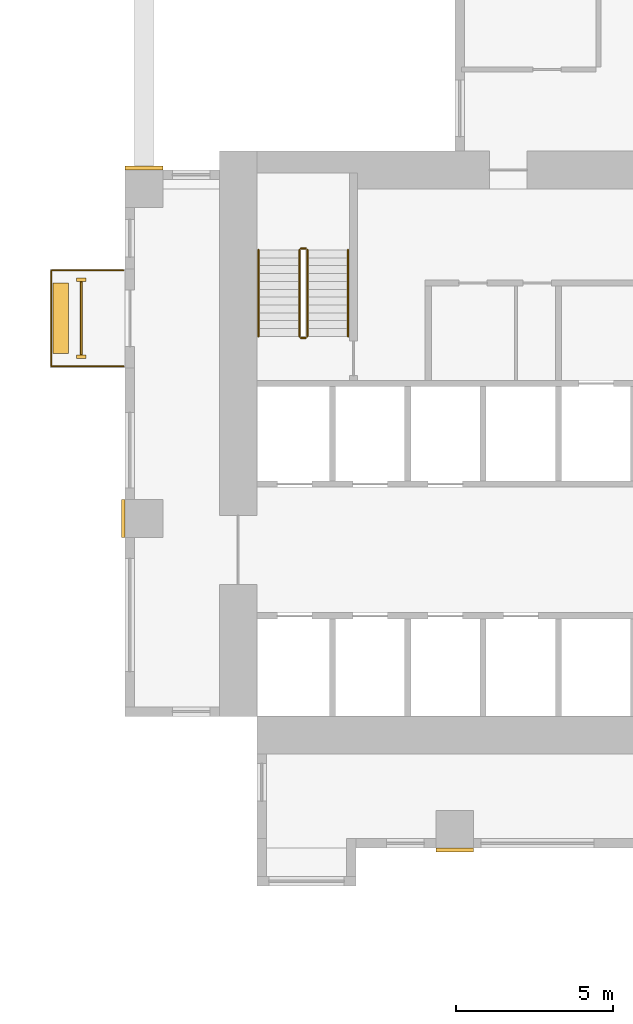
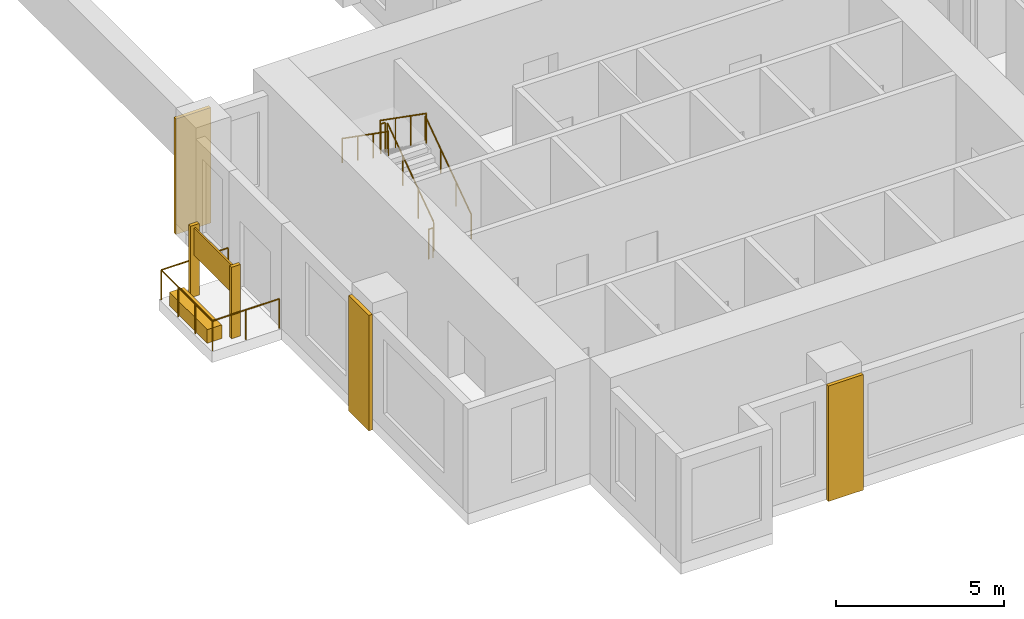
# One storey, part 11 of 14: 7 coverings, 7 railings.
"""IFC4 building model written with IfcOpenShell, lengths in metres."""

from ifc_helpers import new_model, si_unit, direction, frame, origin, origin_2d, place, context, subcontext, project, spatial, rectangle, circle, extrude, source, transform, mapped, material, type_object, element, save


model = new_model("IFC4")

# Units and contexts
model_context = context("Model", 3, precision=1e-05, world=origin(), true_north=direction((0.0, 1.0)))
body_context = subcontext(model_context, "Body", "Model", "MODEL_VIEW")
ifc_project = project(units=[si_unit("LENGTHUNIT", "METRE"), si_unit("AREAUNIT", "SQUARE_METRE"), si_unit("VOLUMEUNIT", "CUBIC_METRE"), si_unit("PLANEANGLEUNIT", "RADIAN"), si_unit("MASSUNIT", "GRAM", prefix="KILO")], contexts=[model_context])

# Site, building, storey
site_placement = place(None, origin())
site = spatial("IfcSite", under=ifc_project, at=site_placement, CompositionType="ELEMENT")
building_placement = place(site_placement, origin())
building = spatial("IfcBuilding", under=site, at=building_placement, Name="Aurelian Terraces", CompositionType="ELEMENT")
storey_placement = place(building_placement, frame((0.0, 0.0, 78.3)))
storey = spatial("IfcBuildingStorey", under=building, at=storey_placement, Name="L16", CompositionType="ELEMENT", Elevation=78.3)

# Railing
ifc_material_1 = material(Name="Anodised aluminium", Category="aluminium")
railing_type_1 = type_object("IfcRailingType", Name="GUARD-1100", PredefinedType="GUARDRAIL", material=ifc_material_1)
railing_1_placement = place(storey_placement, frame((-0.05, 18.4, 0.0)))
element("IfcRailing", 1, at=railing_1_placement, inside=storey, type_object=railing_type_1, Name="Balcony guard L16 F16.37", PredefinedType="GUARDRAIL", context=body_context, shape_type="SweptSolid", body=[
    extrude(circle(Radius=0.024, at=origin_2d()), frame((0.0, 0.0, 1.076), z_axis=(-1.0, 0.0, 0.0), x_axis=(0.0, -1.0, 0.0)), (0.0, 0.0, 1.0), 2.3),
    extrude(circle(Radius=0.024, at=origin_2d()), frame((-2.3, 0.0, 1.076), z_axis=(0.0, -1.0, 0.0), x_axis=(1.0, 0.0, 0.0)), (0.0, 0.0, 1.0), 3.05),
    extrude(circle(Radius=0.024, at=origin_2d()), frame((-2.3, -3.05, 1.076), z_axis=(1.0, 0.0, 0.0), x_axis=(0.0, 1.0, 0.0)), (0.0, 0.0, 1.0), 2.3),
    extrude(circle(Radius=0.021, at=origin_2d()), origin(), (0.0, 0.0, 1.0), 1.052),
    extrude(circle(Radius=0.021, at=origin_2d()), frame((-1.15, 0.0, 0.0)), (0.0, 0.0, 1.0), 1.052),
    extrude(circle(Radius=0.021, at=origin_2d()), frame((-2.3, 0.0, 0.0)), (0.0, 0.0, 1.0), 1.052),
    extrude(circle(Radius=0.021, at=origin_2d()), frame((-2.3, -1.0167, 0.0)), (0.0, 0.0, 1.0), 1.052),
    extrude(circle(Radius=0.021, at=origin_2d()), frame((-2.3, -2.0333, 0.0)), (0.0, 0.0, 1.0), 1.052),
    extrude(circle(Radius=0.021, at=origin_2d()), frame((-2.3, -3.05, 0.0)), (0.0, 0.0, 1.0), 1.052),
    extrude(circle(Radius=0.021, at=origin_2d()), frame((-1.15, -3.05, 0.0)), (0.0, 0.0, 1.0), 1.052),
    extrude(circle(Radius=0.021, at=origin_2d()), frame((0.0, -3.05, 0.0)), (0.0, 0.0, 1.0), 1.052),
])

# Coverings
ifc_material_2 = material(Name="Terracotta rainscreen cladding relief", Category="masonry")
covering_type_1 = type_object("IfcCoveringType", Name="FIN-TC", PredefinedType="CLADDING", material=ifc_material_2)
shared_shape_1 = source(origin(), body_context, "Body", "SweptSolid", [
    extrude(rectangle(XDim=0.3, YDim=0.12, at=origin_2d()), origin(), (0.0, 0.0, 1.0), 2.6),
])
for number, where, z_axis, x_axis, name in (
    (2, (-1.4, 18.1, 0.0), (0.0, 0.0, 1.0), (1.0, 0.0, 0.0), "FIN L16 L16-F16-37.1"),
    (3, (-1.4, 15.65, 0.0), (0.0, 0.0, 1.0), (1.0, 0.0, 0.0), "FIN L16 L16-F16-37.2"),
):
    element("IfcCovering", number, at=place(storey_placement, frame(where, z_axis=z_axis, x_axis=x_axis)), inside=storey, type_object=covering_type_1, Name=name, PredefinedType="CLADDING", context=body_context, shape_type="MappedRepresentation", body=[
        mapped(shared_shape_1, transform((0.0, 0.0, 0.0), scale=1.0)),
    ])
covering_type_2 = type_object("IfcCoveringType", Name="BAGUETTE-TC", PredefinedType="CLADDING", material=ifc_material_2)
shared_shape_2 = source(origin(), body_context, "Body", "SweptSolid", [
    extrude(rectangle(XDim=1.2, YDim=0.12, at=origin_2d()), origin(), (0.0, 0.0, 1.0), 4.2),
])
for number, where, z_axis, x_axis, name in (
    (4, (10.5, -0.06, -0.4), (0.0, 0.0, 1.0), (1.0, 0.0, 0.0), "BAGUETTE pier L16 1"),
    (5, (0.6, 21.66, -0.4), (0.0, 0.0, 1.0), (1.0, 0.0, 0.0), "BAGUETTE pier L16 9"),
):
    element("IfcCovering", number, at=place(storey_placement, frame(where, z_axis=z_axis, x_axis=x_axis)), inside=storey, type_object=covering_type_2, Name=name, PredefinedType="CLADDING", context=body_context, shape_type="MappedRepresentation", body=[
        mapped(shared_shape_2, transform((0.0, 0.0, 0.0), scale=1.0)),
    ])
shared_shape_3 = source(origin(), body_context, "Body", "SweptSolid", [
    extrude(rectangle(XDim=0.12, YDim=1.2, at=origin_2d()), origin(), (0.0, 0.0, 1.0), 4.2),
])
covering_1_placement = place(storey_placement, frame((-0.06, 10.5, -0.4), z_axis=(0.0, 0.0, 1.0), x_axis=(1.0, 0.0, 0.0)))
element("IfcCovering", 6, at=covering_1_placement, inside=storey, type_object=covering_type_2, Name="BAGUETTE pier L16 5", PredefinedType="CLADDING", context=body_context, shape_type="MappedRepresentation", body=[
    mapped(shared_shape_3, transform((0.0, 0.0, 0.0), scale=1.0)),
])
ifc_material_3 = material(Name="Terracotta planter with planting soil", Category="masonry")
covering_type_3 = type_object("IfcCoveringType", Name="PLANTER-TROUGH", PredefinedType="USERDEFINED", material=ifc_material_3)
shared_shape_4 = source(origin(), body_context, "Body", "SweptSolid", [
    extrude(rectangle(XDim=0.5, YDim=2.25, at=origin_2d()), origin(), (0.0, 0.0, 1.0), 0.5),
])
covering_2_placement = place(storey_placement, frame((-2.05, 16.875, 0.0), z_axis=(0.0, 0.0, 1.0), x_axis=(1.0, 0.0, 0.0)))
element("IfcCovering", 7, at=covering_2_placement, inside=storey, type_object=covering_type_3, Name="PLANTER L16 L16-F16-37", ObjectType="PLANTER", PredefinedType="USERDEFINED", context=body_context, shape_type="MappedRepresentation", body=[
    mapped(shared_shape_4, transform((0.0, 0.0, 0.0), scale=1.0)),
])
ifc_material_4 = material(Name="Terracotta rainscreen cladding", Category="masonry")
covering_type_4 = type_object("IfcCoveringType", Name="SCREEN-TC", PredefinedType="CLADDING", material=ifc_material_4)
shared_shape_5 = source(origin(), body_context, "Body", "SweptSolid", [
    extrude(rectangle(XDim=0.06, YDim=2.33, at=origin_2d()), origin(), (0.0, 0.0, 1.0), 1.0),
])
covering_3_placement = place(storey_placement, frame((-1.4, 16.875, 1.5), z_axis=(0.0, 0.0, 1.0), x_axis=(1.0, 0.0, 0.0)))
element("IfcCovering", 8, at=covering_3_placement, inside=storey, type_object=covering_type_4, Name="SCREEN L16 L16-F16-37", PredefinedType="CLADDING", context=body_context, shape_type="MappedRepresentation", body=[
    mapped(shared_shape_5, transform((0.0, 0.0, 0.0), scale=1.0)),
])

# Railings
ifc_material_5 = material(Name="Stainless steel", Category="steel")
railing_type_2 = type_object("IfcRailingType", Name="Stair guard 1100", PredefinedType="GUARDRAIL", material=ifc_material_5)
shared_shape_6 = source(origin(), body_context, "Body", "SweptSolid", [
    extrude(circle(Radius=0.024, at=origin_2d()), frame((0.0, 0.0, 1.076), z_axis=(-1.0, 0.0, 0.0), x_axis=(0.0, -1.0, 0.0)), (0.0, 0.0, 1.0), 0.15),
    extrude(circle(Radius=0.021, at=origin_2d()), origin(), (0.0, 0.0, 1.0), 1.052),
    extrude(circle(Radius=0.021, at=origin_2d()), frame((-0.15, 0.0, 0.0)), (0.0, 0.0, 1.0), 1.052),
])
for number, where, name in (
    (9, (5.75, 19.1, 2.1), "L16 S1 stair guard 2"),
    (10, (5.75, 16.25, 0.0), "L16 S1 stair guard 4"),
):
    element("IfcRailing", number, at=place(storey_placement, frame(where)), inside=storey, type_object=railing_type_2, Name=name, PredefinedType="GUARDRAIL", context=body_context, shape_type="MappedRepresentation", body=[
        mapped(shared_shape_6, transform((0.0, 0.0, 0.0), scale=1.0)),
    ])
shared_shape_7 = source(origin(), body_context, "Body", "SweptSolid", [
    extrude(circle(Radius=0.024, at=origin_2d()), frame((0.0, 0.0, 1.076), z_axis=(0.0, 0.819231920519, 0.573462344363), x_axis=(-1.0, 0.0, 0.0)), (0.0, 0.0, 1.0), 3.3568),
    extrude(circle(Radius=0.021, at=origin_2d()), origin(), (0.0, 0.0, 1.0), 1.052),
    extrude(circle(Radius=0.021, at=origin_2d()), frame((0.0, 0.9167, 0.6417)), (0.0, 0.0, 1.0), 1.052),
    extrude(circle(Radius=0.021, at=origin_2d()), frame((0.0, 1.8333, 1.2833)), (0.0, 0.0, 1.0), 1.052),
    extrude(circle(Radius=0.021, at=origin_2d()), frame((0.0, 2.75, 1.925)), (0.0, 0.0, 1.0), 1.052),
])
railing_2_placement = place(storey_placement, frame((5.8, 16.3, 0.175)))
element("IfcRailing", 11, at=railing_2_placement, inside=storey, type_object=railing_type_2, Name="L16 S1 stair guard 1", PredefinedType="GUARDRAIL", context=body_context, shape_type="MappedRepresentation", body=[
    mapped(shared_shape_7, transform((0.0, 0.0, 0.0), scale=1.0)),
])
shared_shape_8 = source(origin(), body_context, "Body", "SweptSolid", [
    extrude(circle(Radius=0.024, at=origin_2d()), frame((0.0, 0.0, 1.076), z_axis=(0.0, -0.819231920519, 0.573462344363), x_axis=(1.0, 0.0, 0.0)), (0.0, 0.0, 1.0), 3.3568),
    extrude(circle(Radius=0.021, at=origin_2d()), origin(), (0.0, 0.0, 1.0), 1.052),
    extrude(circle(Radius=0.021, at=origin_2d()), frame((0.0, -0.9167, 0.6417)), (0.0, 0.0, 1.0), 1.052),
    extrude(circle(Radius=0.021, at=origin_2d()), frame((0.0, -1.8333, 1.2833)), (0.0, 0.0, 1.0), 1.052),
    extrude(circle(Radius=0.021, at=origin_2d()), frame((0.0, -2.75, 1.925)), (0.0, 0.0, 1.0), 1.052),
])
railing_3_placement = place(storey_placement, frame((5.55, 19.05, 2.275)))
element("IfcRailing", 12, at=railing_3_placement, inside=storey, type_object=railing_type_2, Name="L16 S1 stair guard 3", PredefinedType="GUARDRAIL", context=body_context, shape_type="MappedRepresentation", body=[
    mapped(shared_shape_8, transform((0.0, 0.0, 0.0), scale=1.0)),
])
railing_type_3 = type_object("IfcRailingType", Name="Stair handrail", PredefinedType="HANDRAIL", material=ifc_material_5)
shared_shape_9 = source(origin(), body_context, "Body", "SweptSolid", [
    extrude(circle(Radius=0.024, at=origin_2d()), frame((0.0, 0.0, 0.876), z_axis=(0.0, 0.819231920519, 0.573462344363), x_axis=(-1.0, 0.0, 0.0)), (0.0, 0.0, 1.0), 3.3568),
    extrude(circle(Radius=0.021, at=origin_2d()), origin(), (0.0, 0.0, 1.0), 0.852),
    extrude(circle(Radius=0.021, at=origin_2d()), frame((0.0, 0.9167, 0.6417)), (0.0, 0.0, 1.0), 0.852),
    extrude(circle(Radius=0.021, at=origin_2d()), frame((0.0, 1.8333, 1.2833)), (0.0, 0.0, 1.0), 0.852),
    extrude(circle(Radius=0.021, at=origin_2d()), frame((0.0, 2.75, 1.925)), (0.0, 0.0, 1.0), 0.852),
])
railing_4_placement = place(storey_placement, frame((7.1, 16.3, 0.175)))
element("IfcRailing", 13, at=railing_4_placement, inside=storey, type_object=railing_type_3, Name="L16 S1 stair handrail 1", PredefinedType="HANDRAIL", context=body_context, shape_type="MappedRepresentation", body=[
    mapped(shared_shape_9, transform((0.0, 0.0, 0.0), scale=1.0)),
])
shared_shape_10 = source(origin(), body_context, "Body", "SweptSolid", [
    extrude(circle(Radius=0.024, at=origin_2d()), frame((0.0, 0.0, 0.876), z_axis=(0.0, -0.819231920519, 0.573462344363), x_axis=(1.0, 0.0, 0.0)), (0.0, 0.0, 1.0), 3.3568),
    extrude(circle(Radius=0.021, at=origin_2d()), origin(), (0.0, 0.0, 1.0), 0.852),
    extrude(circle(Radius=0.021, at=origin_2d()), frame((0.0, -0.9167, 0.6417)), (0.0, 0.0, 1.0), 0.852),
    extrude(circle(Radius=0.021, at=origin_2d()), frame((0.0, -1.8333, 1.2833)), (0.0, 0.0, 1.0), 0.852),
    extrude(circle(Radius=0.021, at=origin_2d()), frame((0.0, -2.75, 1.925)), (0.0, 0.0, 1.0), 0.852),
])
railing_5_placement = place(storey_placement, frame((4.25, 19.05, 2.275)))
element("IfcRailing", 14, at=railing_5_placement, inside=storey, type_object=railing_type_3, Name="L16 S1 stair handrail 2", PredefinedType="HANDRAIL", context=body_context, shape_type="MappedRepresentation", body=[
    mapped(shared_shape_10, transform((0.0, 0.0, 0.0), scale=1.0)),
])

save(model, "model.ifc")
